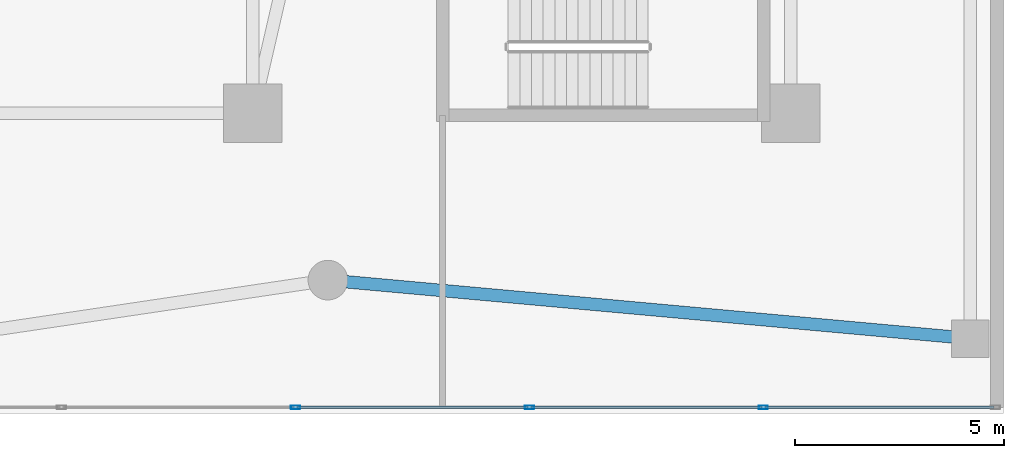
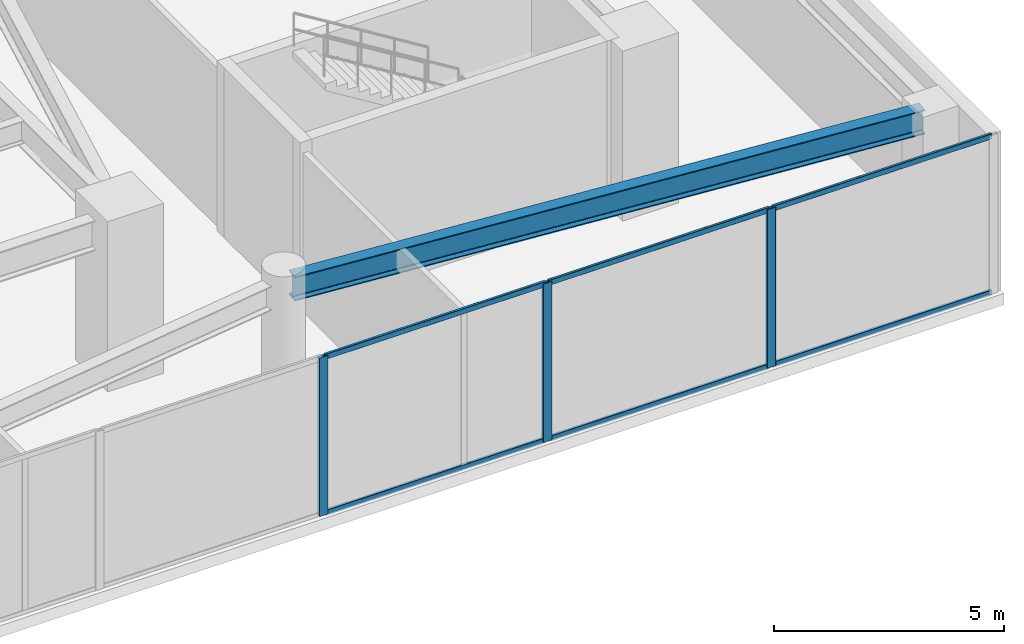
# One storey, part 7 of 29: 9 members, 1 beam, 1 element without a shape of its own.
"""IFC4 building model written with IfcOpenShell, lengths in metres."""

from ifc_helpers import new_model, si_unit, direction, frame, origin, origin_2d, place, context, subcontext, project, spatial, hollow_rectangle, i_section, extrude, material, layer, layer_set, material_profile, profile_set, type_object, element, aggregate, save


model = new_model("IFC4")

# Units and contexts
model_context = context("Model", 3, precision=1e-05, world=origin(), true_north=direction((0.0, 1.0)))
body_context = subcontext(model_context, "Body", "Model", "MODEL_VIEW")
ifc_project = project(units=[si_unit("LENGTHUNIT", "METRE"), si_unit("AREAUNIT", "SQUARE_METRE"), si_unit("VOLUMEUNIT", "CUBIC_METRE"), si_unit("PLANEANGLEUNIT", "RADIAN"), si_unit("MASSUNIT", "GRAM", prefix="KILO")], contexts=[model_context])

# Site, building, storey
site_placement = place(None, origin())
site = spatial("IfcSite", under=ifc_project, at=site_placement, CompositionType="ELEMENT")
building_placement = place(site_placement, origin())
building = spatial("IfcBuilding", under=site, at=building_placement, Name="Tarnavaz Court Tower", CompositionType="ELEMENT")
storey_placement = place(building_placement, frame((0.0, 0.0, 5.39990234375)))
storey = spatial("IfcBuildingStorey", under=building, at=storey_placement, Name="L01", CompositionType="ELEMENT", Elevation=5.39990234375)

# Beam
ifc_material_1 = material(Name="Steel S355", Category="steel")
ifc_material_profile_1 = material_profile(ifc_material_1, i_section(OverallWidth=0.300048828125, OverallDepth=0.639892578125, WebThickness=0.013427734375, FlangeThickness=0.02587890625, FilletRadius=0.027099609375, at=origin_2d()), Name="HEA 650")
ifc_profile_set_1 = profile_set([ifc_material_profile_1], Name="Steel S355")
beam_type = type_object("IfcBeamType", Name="BM-SP-HEA650", PredefinedType="SPANDREL", material=ifc_profile_set_1)
beam_placement = place(storey_placement, frame((16.999267578125, -26.818115234375, 3.880126953125), z_axis=(0.995893206468, -0.090535746043, 0.0), x_axis=(0.090535746043, 0.995893206468, 0.0)))
element("IfcBeam", 1, at=beam_placement, inside=storey, type_object=beam_type, Name="L01 Beam PR-POD-S3-POD-SE1", PredefinedType="SPANDREL", context=body_context, shape_type="SweptSolid", body=[
    extrude(i_section(OverallWidth=0.300048828125, OverallDepth=0.639892578125, WebThickness=0.013427734375, FlangeThickness=0.02587890625, FilletRadius=0.027099609375, at=origin_2d()), origin(), (0.0, 0.0, 1.0), 15.063232421875),
])

# Curtain wall, members
ifc_material_2 = material(Name="Anodised Aluminium 6063-T6 and Solar Low-E Glazing", Category="aluminium")
ifc_layer = layer(ifc_material_2, 0.18994140625)
ifc_layer_set = layer_set([ifc_layer], Name="Anodised Aluminium 6063-T6 and Solar Low-E Glazing")
curtain_wall_type = type_object("IfcCurtainWallType", Name="CW-SYS-01", PredefinedType="NOTDEFINED", material=ifc_layer_set)
curtain_wall_placement = place(storey_placement, origin())
curtain_wall = element("IfcCurtainWall", 2, at=curtain_wall_placement, inside=storey, type_object=curtain_wall_type, Name="L01 Clinic South Curtain Wall 3", PredefinedType="NOTDEFINED")
ifc_material_3 = material(Name="Anodised Aluminium 6063-T6", Category="aluminium")
ifc_material_profile_2 = material_profile(ifc_material_3, hollow_rectangle(XDim=0.0849609375, YDim=0.219970703125, WallThickness=0.006103515625, InnerFilletRadius=0.006103515625, OuterFilletRadius=0.011962890625, at=origin_2d()), Name="ALU RHS 220X85X6")
ifc_profile_set_2 = profile_set([ifc_material_profile_2], Name="Anodised Aluminium 6063-T6")
member_type_1 = type_object("IfcMemberType", Name="CW-MUL-220", PredefinedType="MULLION", material=ifc_profile_set_2)
member_1_placement = place(storey_placement, frame((27.240966796875, -29.85009765625, 0.0), z_axis=(0.0, 0.0, 1.0), x_axis=(0.0, -1.0, 0.0)))
member_1 = element("IfcMember", 3, at=member_1_placement, type_object=member_type_1, Name="CW mullion 2", PredefinedType="MULLION", context=body_context, shape_type="SweptSolid", body=[
    extrude(hollow_rectangle(XDim=0.0849609375, YDim=0.219970703125, WallThickness=0.006103515625, InnerFilletRadius=0.006103515625, OuterFilletRadius=0.011962890625, at=origin_2d()), origin(), (0.0, 0.0, 1.0), 4.2001953125),
])
member_2_placement = place(storey_placement, frame((21.6318359375, -29.85009765625, 0.0), z_axis=(0.0, 0.0, 1.0), x_axis=(0.0, -1.0, 0.0)))
member_2 = element("IfcMember", 4, at=member_2_placement, type_object=member_type_1, Name="CW mullion 3", PredefinedType="MULLION", context=body_context, shape_type="SweptSolid", body=[
    extrude(hollow_rectangle(XDim=0.0849609375, YDim=0.219970703125, WallThickness=0.006103515625, InnerFilletRadius=0.006103515625, OuterFilletRadius=0.011962890625, at=origin_2d()), origin(), (0.0, 0.0, 1.0), 4.2001953125),
])
member_3_placement = place(storey_placement, frame((16.022705078125, -29.85009765625, 0.0), z_axis=(0.0, 0.0, 1.0), x_axis=(0.0, -1.0, 0.0)))
member_3 = element("IfcMember", 5, at=member_3_placement, type_object=member_type_1, Name="CW mullion 4", PredefinedType="MULLION", context=body_context, shape_type="SweptSolid", body=[
    extrude(hollow_rectangle(XDim=0.0849609375, YDim=0.219970703125, WallThickness=0.006103515625, InnerFilletRadius=0.006103515625, OuterFilletRadius=0.011962890625, at=origin_2d()), origin(), (0.0, 0.0, 1.0), 4.2001953125),
])
ifc_material_profile_3 = material_profile(ifc_material_3, hollow_rectangle(XDim=0.06494140625, YDim=0.139892578125, WallThickness=0.00390625, InnerFilletRadius=0.00390625, OuterFilletRadius=0.008056640625, at=origin_2d()), Name="ALU RHS 140X65X4")
ifc_profile_set_3 = profile_set([ifc_material_profile_3], Name="Anodised Aluminium 6063-T6")
member_type_2 = type_object("IfcMemberType", Name="CW-TRN-140", PredefinedType="USERDEFINED", material=ifc_profile_set_3)
member_4_placement = place(storey_placement, frame((32.764892578125, -29.85009765625, 0.03271484375), z_axis=(-1.0, 0.0, 0.0), x_axis=(0.0, -1.0, 0.0)))
member_4 = element("IfcMember", 6, at=member_4_placement, type_object=member_type_2, Name="CW transom 1.1", ObjectType="TRANSOM", PredefinedType="USERDEFINED", context=body_context, shape_type="SweptSolid", body=[
    extrude(hollow_rectangle(XDim=0.06494140625, YDim=0.139892578125, WallThickness=0.00390625, InnerFilletRadius=0.00390625, OuterFilletRadius=0.008056640625, at=origin_2d()), origin(), (0.0, 0.0, 1.0), 5.4814453125),
])
member_5_placement = place(storey_placement, frame((32.764892578125, -29.85009765625, 4.16748046875), z_axis=(-1.0, 0.0, 0.0), x_axis=(0.0, -1.0, 0.0)))
member_5 = element("IfcMember", 7, at=member_5_placement, type_object=member_type_2, Name="CW transom 1.2", ObjectType="TRANSOM", PredefinedType="USERDEFINED", context=body_context, shape_type="SweptSolid", body=[
    extrude(hollow_rectangle(XDim=0.06494140625, YDim=0.139892578125, WallThickness=0.00390625, InnerFilletRadius=0.00390625, OuterFilletRadius=0.008056640625, at=origin_2d()), origin(), (0.0, 0.0, 1.0), 5.4814453125),
])
member_6_placement = place(storey_placement, frame((27.198486328125, -29.85009765625, 0.03271484375), z_axis=(-1.0, 0.0, 0.0), x_axis=(0.0, -1.0, 0.0)))
member_6 = element("IfcMember", 8, at=member_6_placement, type_object=member_type_2, Name="CW transom 2.1", ObjectType="TRANSOM", PredefinedType="USERDEFINED", context=body_context, shape_type="SweptSolid", body=[
    extrude(hollow_rectangle(XDim=0.06494140625, YDim=0.139892578125, WallThickness=0.00390625, InnerFilletRadius=0.00390625, OuterFilletRadius=0.008056640625, at=origin_2d()), origin(), (0.0, 0.0, 1.0), 5.524169921875),
])
member_7_placement = place(storey_placement, frame((27.198486328125, -29.85009765625, 4.16748046875), z_axis=(-1.0, 0.0, 0.0), x_axis=(0.0, -1.0, 0.0)))
member_7 = element("IfcMember", 9, at=member_7_placement, type_object=member_type_2, Name="CW transom 2.2", ObjectType="TRANSOM", PredefinedType="USERDEFINED", context=body_context, shape_type="SweptSolid", body=[
    extrude(hollow_rectangle(XDim=0.06494140625, YDim=0.139892578125, WallThickness=0.00390625, InnerFilletRadius=0.00390625, OuterFilletRadius=0.008056640625, at=origin_2d()), origin(), (0.0, 0.0, 1.0), 5.524169921875),
])
member_8_placement = place(storey_placement, frame((21.58935546875, -29.85009765625, 0.03271484375), z_axis=(-1.0, 0.0, 0.0), x_axis=(0.0, -1.0, 0.0)))
member_8 = element("IfcMember", 10, at=member_8_placement, type_object=member_type_2, Name="CW transom 3.1", ObjectType="TRANSOM", PredefinedType="USERDEFINED", context=body_context, shape_type="SweptSolid", body=[
    extrude(hollow_rectangle(XDim=0.06494140625, YDim=0.139892578125, WallThickness=0.00390625, InnerFilletRadius=0.00390625, OuterFilletRadius=0.008056640625, at=origin_2d()), origin(), (0.0, 0.0, 1.0), 5.524169921875),
])
member_9_placement = place(storey_placement, frame((21.58935546875, -29.85009765625, 4.16748046875), z_axis=(-1.0, 0.0, 0.0), x_axis=(0.0, -1.0, 0.0)))
member_9 = element("IfcMember", 11, at=member_9_placement, type_object=member_type_2, Name="CW transom 3.2", ObjectType="TRANSOM", PredefinedType="USERDEFINED", context=body_context, shape_type="SweptSolid", body=[
    extrude(hollow_rectangle(XDim=0.06494140625, YDim=0.139892578125, WallThickness=0.00390625, InnerFilletRadius=0.00390625, OuterFilletRadius=0.008056640625, at=origin_2d()), origin(), (0.0, 0.0, 1.0), 5.524169921875),
])
aggregate(curtain_wall, [member_1, member_2, member_3, member_4, member_5, member_6, member_7, member_8, member_9])

save(model, "model.ifc")
